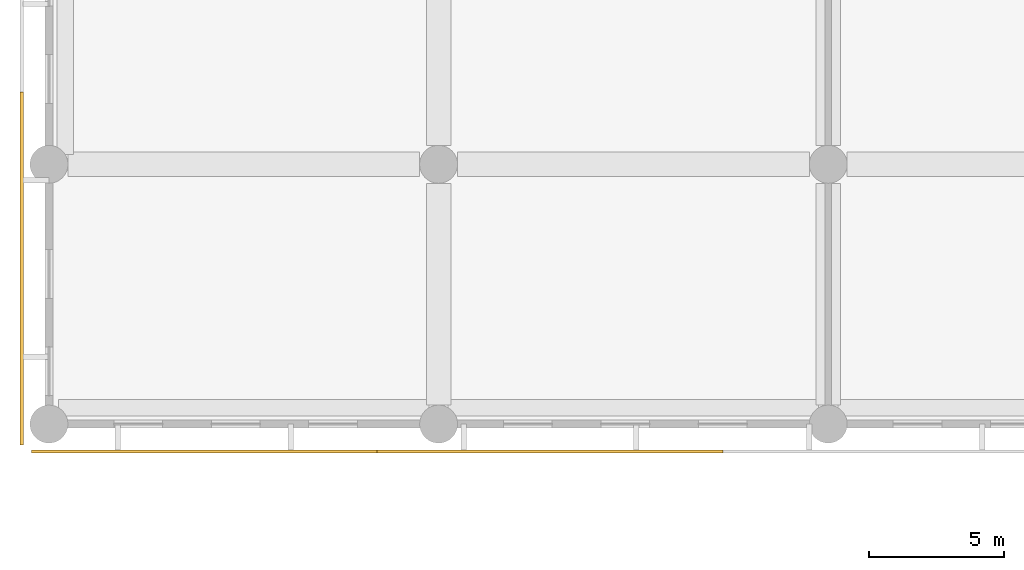
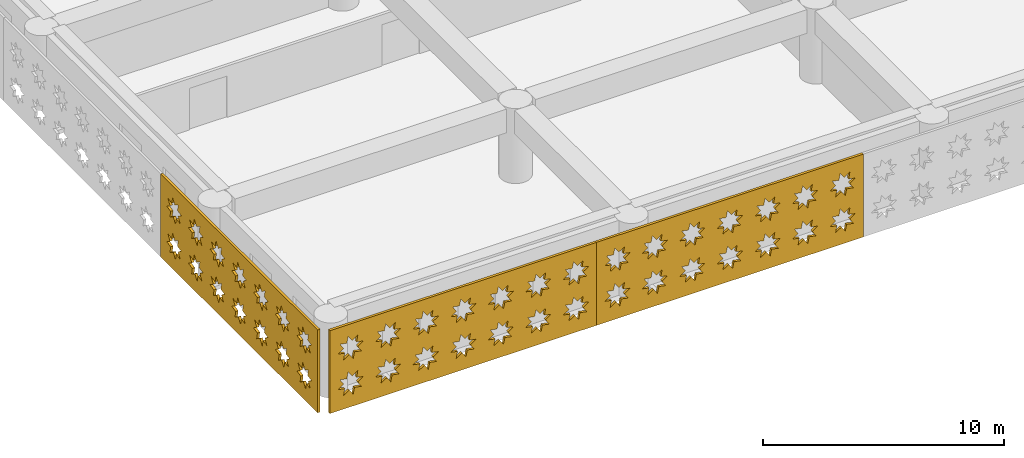
# One storey, part 11 of 23: 3 coverings.
"""IFC4 building model written with IfcOpenShell, lengths in metres."""

from ifc_helpers import new_model, si_unit, direction, frame, origin, place, context, subcontext, project, spatial, polyline, outline, extrude, material, layer, layer_set, type_object, element, save


model = new_model("IFC4")

# Units and contexts
model_context = context("Model", 3, precision=1e-05, world=origin(), true_north=direction((0.0, 1.0)))
body_context = subcontext(model_context, "Body", "Model", "MODEL_VIEW")
ifc_project = project(units=[si_unit("LENGTHUNIT", "METRE"), si_unit("AREAUNIT", "SQUARE_METRE"), si_unit("VOLUMEUNIT", "CUBIC_METRE"), si_unit("PLANEANGLEUNIT", "RADIAN"), si_unit("MASSUNIT", "GRAM", prefix="KILO")], contexts=[model_context])

# Site, building, storey
site_placement = place(None, origin())
site = spatial("IfcSite", under=ifc_project, at=site_placement, CompositionType="ELEMENT")
building_placement = place(site_placement, origin())
building = spatial("IfcBuilding", under=site, at=building_placement, Name="Saffron Iwan Residences", CompositionType="ELEMENT")
storey_placement = place(building_placement, frame((0.0, 0.0, 17.39990234375)))
storey = spatial("IfcBuildingStorey", under=building, at=storey_placement, Name="L03", CompositionType="ELEMENT", Elevation=17.39990234375)

# Coverings
ifc_material = material(Name="Terracotta screen, precast concrete C40/50", Category="masonry")
ifc_layer = layer(ifc_material, 0.1201171875)
ifc_layer_set = layer_set([ifc_layer], Name="Terracotta screen, precast concrete C40/50")
covering_type = type_object("IfcCoveringType", Name="PODIUM SCREEN GIRIH", PredefinedType="CLADDING", material=ifc_layer_set)
covering_1_placement = place(storey_placement, frame((-0.64990234375, 8.64990234375, -0.39990234375), z_axis=(0.0, -1.0, 0.0), x_axis=(1.0, 0.0, 0.0)))
element("IfcCovering", 1, at=covering_1_placement, inside=storey, type_object=covering_type, Name="SCREEN girih terracotta L03 F0.0", PredefinedType="CLADDING", context=body_context, shape_type="SweptSolid", body=[
    extrude(outline(polyline([(0.0, 0.0), (12.777587890625, 0.0), (12.777587890625, 4.199951171875), (0.0, 4.199951171875), (0.0, 0.0)]), holes=[polyline([(1.5966796875, 1.321044921875), (1.271484375, 1.388916015625), (1.333251953125, 1.715576171875), (1.05517578125, 1.533447265625), (0.867919921875, 1.80810546875), (0.7998046875, 1.482666015625), (0.47314453125, 1.54443359375), (0.6552734375, 1.266357421875), (0.380615234375, 1.0791015625), (0.7060546875, 1.010986328125), (0.644287109375, 0.6845703125), (0.92236328125, 0.866455078125), (1.109619140625, 0.591796875), (1.177490234375, 0.917236328125), (1.50439453125, 0.85546875), (1.322265625, 1.1337890625), (1.5966796875, 1.321044921875)]), polyline([(1.5966796875, 3.12109375), (1.271484375, 3.18896484375), (1.333251953125, 3.515380859375), (1.05517578125, 3.33349609375), (0.867919921875, 3.608154296875), (0.7998046875, 3.28271484375), (0.47314453125, 3.344482421875), (0.6552734375, 3.06640625), (0.380615234375, 2.87890625), (0.7060546875, 2.81103515625), (0.644287109375, 2.484619140625), (0.92236328125, 2.66650390625), (1.109619140625, 2.391845703125), (1.177490234375, 2.71728515625), (1.50439453125, 2.655517578125), (1.322265625, 2.93359375), (1.5966796875, 3.12109375)]), polyline([(3.396728515625, 1.321044921875), (3.0712890625, 1.388916015625), (3.13330078125, 1.715576171875), (2.85498046875, 1.533447265625), (2.667724609375, 1.80810546875), (2.599853515625, 1.482666015625), (2.273193359375, 1.54443359375), (2.455322265625, 1.266357421875), (2.1806640625, 1.0791015625), (2.506103515625, 1.010986328125), (2.4443359375, 0.6845703125), (2.722412109375, 0.866455078125), (2.90966796875, 0.591796875), (2.9775390625, 0.917236328125), (3.30419921875, 0.85546875), (3.122314453125, 1.1337890625), (3.396728515625, 1.321044921875)]), polyline([(3.396728515625, 3.12109375), (3.0712890625, 3.18896484375), (3.13330078125, 3.515380859375), (2.85498046875, 3.33349609375), (2.667724609375, 3.608154296875), (2.599853515625, 3.28271484375), (2.273193359375, 3.344482421875), (2.455322265625, 3.06640625), (2.1806640625, 2.87890625), (2.506103515625, 2.81103515625), (2.4443359375, 2.484619140625), (2.722412109375, 2.66650390625), (2.90966796875, 2.391845703125), (2.9775390625, 2.71728515625), (3.30419921875, 2.655517578125), (3.122314453125, 2.93359375), (3.396728515625, 3.12109375)]), polyline([(5.19677734375, 1.321044921875), (4.871337890625, 1.388916015625), (4.93310546875, 1.715576171875), (4.655029296875, 1.533447265625), (4.4677734375, 1.80810546875), (4.39990234375, 1.482666015625), (4.0732421875, 1.54443359375), (4.25537109375, 1.266357421875), (3.980712890625, 1.0791015625), (4.30615234375, 1.010986328125), (4.244384765625, 0.6845703125), (4.5224609375, 0.866455078125), (4.709716796875, 0.591796875), (4.777587890625, 0.917236328125), (5.104248046875, 0.85546875), (4.922119140625, 1.1337890625), (5.19677734375, 1.321044921875)]), polyline([(5.19677734375, 3.12109375), (4.871337890625, 3.18896484375), (4.93310546875, 3.515380859375), (4.655029296875, 3.33349609375), (4.4677734375, 3.608154296875), (4.39990234375, 3.28271484375), (4.0732421875, 3.344482421875), (4.25537109375, 3.06640625), (3.980712890625, 2.87890625), (4.30615234375, 2.81103515625), (4.244384765625, 2.484619140625), (4.5224609375, 2.66650390625), (4.709716796875, 2.391845703125), (4.777587890625, 2.71728515625), (5.104248046875, 2.655517578125), (4.922119140625, 2.93359375), (5.19677734375, 3.12109375)]), polyline([(6.996826171875, 1.321044921875), (6.67138671875, 1.388916015625), (6.733154296875, 1.715576171875), (6.455078125, 1.533447265625), (6.267822265625, 1.80810546875), (6.199951171875, 1.482666015625), (5.873291015625, 1.54443359375), (6.055419921875, 1.266357421875), (5.78076171875, 1.0791015625), (6.106201171875, 1.010986328125), (6.044189453125, 0.6845703125), (6.322509765625, 0.866455078125), (6.509765625, 0.591796875), (6.57763671875, 0.917236328125), (6.904296875, 0.85546875), (6.72216796875, 1.1337890625), (6.996826171875, 1.321044921875)]), polyline([(6.996826171875, 3.12109375), (6.67138671875, 3.18896484375), (6.733154296875, 3.515380859375), (6.455078125, 3.33349609375), (6.267822265625, 3.608154296875), (6.199951171875, 3.28271484375), (5.873291015625, 3.344482421875), (6.055419921875, 3.06640625), (5.78076171875, 2.87890625), (6.106201171875, 2.81103515625), (6.044189453125, 2.484619140625), (6.322509765625, 2.66650390625), (6.509765625, 2.391845703125), (6.57763671875, 2.71728515625), (6.904296875, 2.655517578125), (6.72216796875, 2.93359375), (6.996826171875, 3.12109375)]), polyline([(8.796875, 1.321044921875), (8.471435546875, 1.388916015625), (8.533203125, 1.715576171875), (8.255126953125, 1.533447265625), (8.06787109375, 1.80810546875), (8.0, 1.482666015625), (7.673095703125, 1.54443359375), (7.855224609375, 1.266357421875), (7.580810546875, 1.0791015625), (7.906005859375, 1.010986328125), (7.84423828125, 0.6845703125), (8.122314453125, 0.866455078125), (8.309814453125, 0.591796875), (8.377685546875, 0.917236328125), (8.704345703125, 0.85546875), (8.522216796875, 1.1337890625), (8.796875, 1.321044921875)]), polyline([(8.796875, 3.12109375), (8.471435546875, 3.18896484375), (8.533203125, 3.515380859375), (8.255126953125, 3.33349609375), (8.06787109375, 3.608154296875), (8.0, 3.28271484375), (7.673095703125, 3.344482421875), (7.855224609375, 3.06640625), (7.580810546875, 2.87890625), (7.906005859375, 2.81103515625), (7.84423828125, 2.484619140625), (8.122314453125, 2.66650390625), (8.309814453125, 2.391845703125), (8.377685546875, 2.71728515625), (8.704345703125, 2.655517578125), (8.522216796875, 2.93359375), (8.796875, 3.12109375)]), polyline([(10.5966796875, 1.321044921875), (10.271484375, 1.388916015625), (10.333251953125, 1.715576171875), (10.05517578125, 1.533447265625), (9.867919921875, 1.80810546875), (9.7998046875, 1.482666015625), (9.47314453125, 1.54443359375), (9.6552734375, 1.266357421875), (9.380615234375, 1.0791015625), (9.7060546875, 1.010986328125), (9.644287109375, 0.6845703125), (9.92236328125, 0.866455078125), (10.109619140625, 0.591796875), (10.177490234375, 0.917236328125), (10.50439453125, 0.85546875), (10.322265625, 1.1337890625), (10.5966796875, 1.321044921875)]), polyline([(10.5966796875, 3.12109375), (10.271484375, 3.18896484375), (10.333251953125, 3.515380859375), (10.05517578125, 3.33349609375), (9.867919921875, 3.608154296875), (9.7998046875, 3.28271484375), (9.47314453125, 3.344482421875), (9.6552734375, 3.06640625), (9.380615234375, 2.87890625), (9.7060546875, 2.81103515625), (9.644287109375, 2.484619140625), (9.92236328125, 2.66650390625), (10.109619140625, 2.391845703125), (10.177490234375, 2.71728515625), (10.50439453125, 2.655517578125), (10.322265625, 2.93359375), (10.5966796875, 3.12109375)]), polyline([(12.396728515625, 1.321044921875), (12.0712890625, 1.388916015625), (12.13330078125, 1.715576171875), (11.85498046875, 1.533447265625), (11.667724609375, 1.80810546875), (11.599853515625, 1.482666015625), (11.273193359375, 1.54443359375), (11.455322265625, 1.266357421875), (11.1806640625, 1.0791015625), (11.506103515625, 1.010986328125), (11.4443359375, 0.6845703125), (11.722412109375, 0.866455078125), (11.90966796875, 0.591796875), (11.9775390625, 0.917236328125), (12.30419921875, 0.85546875), (12.122314453125, 1.1337890625), (12.396728515625, 1.321044921875)]), polyline([(12.396728515625, 3.12109375), (12.0712890625, 3.18896484375), (12.13330078125, 3.515380859375), (11.85498046875, 3.33349609375), (11.667724609375, 3.608154296875), (11.599853515625, 3.28271484375), (11.273193359375, 3.344482421875), (11.455322265625, 3.06640625), (11.1806640625, 2.87890625), (11.506103515625, 2.81103515625), (11.4443359375, 2.484619140625), (11.722412109375, 2.66650390625), (11.90966796875, 2.391845703125), (11.9775390625, 2.71728515625), (12.30419921875, 2.655517578125), (12.122314453125, 2.93359375), (12.396728515625, 3.12109375)])]), origin(), (0.0, 0.0, 1.0), 0.119873046875),
])
covering_2_placement = place(storey_placement, frame((12.12744140625, 8.64990234375, -0.39990234375), z_axis=(0.0, -1.0, 0.0), x_axis=(1.0, 0.0, 0.0)))
element("IfcCovering", 2, at=covering_2_placement, inside=storey, type_object=covering_type, Name="SCREEN girih terracotta L03 F0.1", PredefinedType="CLADDING", context=body_context, shape_type="SweptSolid", body=[
    extrude(outline(polyline([(0.0, 0.0), (12.777587890625, 0.0), (12.777587890625, 4.199951171875), (0.0, 4.199951171875), (0.0, 0.0)]), holes=[polyline([(1.5966796875, 1.321044921875), (1.271484375, 1.388916015625), (1.333251953125, 1.715576171875), (1.05517578125, 1.533447265625), (0.867919921875, 1.80810546875), (0.7998046875, 1.482666015625), (0.47314453125, 1.54443359375), (0.6552734375, 1.266357421875), (0.380615234375, 1.0791015625), (0.7060546875, 1.010986328125), (0.644287109375, 0.6845703125), (0.92236328125, 0.866455078125), (1.109619140625, 0.591796875), (1.177490234375, 0.917236328125), (1.50439453125, 0.85546875), (1.322265625, 1.1337890625), (1.5966796875, 1.321044921875)]), polyline([(1.5966796875, 3.12109375), (1.271484375, 3.18896484375), (1.333251953125, 3.515380859375), (1.05517578125, 3.33349609375), (0.867919921875, 3.608154296875), (0.7998046875, 3.28271484375), (0.47314453125, 3.344482421875), (0.6552734375, 3.06640625), (0.380615234375, 2.87890625), (0.7060546875, 2.81103515625), (0.644287109375, 2.484619140625), (0.92236328125, 2.66650390625), (1.109619140625, 2.391845703125), (1.177490234375, 2.71728515625), (1.50439453125, 2.655517578125), (1.322265625, 2.93359375), (1.5966796875, 3.12109375)]), polyline([(3.396728515625, 1.321044921875), (3.0712890625, 1.388916015625), (3.13330078125, 1.715576171875), (2.85498046875, 1.533447265625), (2.667724609375, 1.80810546875), (2.599853515625, 1.482666015625), (2.273193359375, 1.54443359375), (2.455322265625, 1.266357421875), (2.1806640625, 1.0791015625), (2.506103515625, 1.010986328125), (2.4443359375, 0.6845703125), (2.722412109375, 0.866455078125), (2.90966796875, 0.591796875), (2.9775390625, 0.917236328125), (3.30419921875, 0.85546875), (3.122314453125, 1.1337890625), (3.396728515625, 1.321044921875)]), polyline([(3.396728515625, 3.12109375), (3.0712890625, 3.18896484375), (3.13330078125, 3.515380859375), (2.85498046875, 3.33349609375), (2.667724609375, 3.608154296875), (2.599853515625, 3.28271484375), (2.273193359375, 3.344482421875), (2.455322265625, 3.06640625), (2.1806640625, 2.87890625), (2.506103515625, 2.81103515625), (2.4443359375, 2.484619140625), (2.722412109375, 2.66650390625), (2.90966796875, 2.391845703125), (2.9775390625, 2.71728515625), (3.30419921875, 2.655517578125), (3.122314453125, 2.93359375), (3.396728515625, 3.12109375)]), polyline([(5.19677734375, 1.321044921875), (4.871337890625, 1.388916015625), (4.93310546875, 1.715576171875), (4.655029296875, 1.533447265625), (4.4677734375, 1.80810546875), (4.39990234375, 1.482666015625), (4.0732421875, 1.54443359375), (4.25537109375, 1.266357421875), (3.980712890625, 1.0791015625), (4.30615234375, 1.010986328125), (4.244384765625, 0.6845703125), (4.5224609375, 0.866455078125), (4.709716796875, 0.591796875), (4.777587890625, 0.917236328125), (5.104248046875, 0.85546875), (4.922119140625, 1.1337890625), (5.19677734375, 1.321044921875)]), polyline([(5.19677734375, 3.12109375), (4.871337890625, 3.18896484375), (4.93310546875, 3.515380859375), (4.655029296875, 3.33349609375), (4.4677734375, 3.608154296875), (4.39990234375, 3.28271484375), (4.0732421875, 3.344482421875), (4.25537109375, 3.06640625), (3.980712890625, 2.87890625), (4.30615234375, 2.81103515625), (4.244384765625, 2.484619140625), (4.5224609375, 2.66650390625), (4.709716796875, 2.391845703125), (4.777587890625, 2.71728515625), (5.104248046875, 2.655517578125), (4.922119140625, 2.93359375), (5.19677734375, 3.12109375)]), polyline([(6.996826171875, 1.321044921875), (6.67138671875, 1.388916015625), (6.733154296875, 1.715576171875), (6.455078125, 1.533447265625), (6.267822265625, 1.80810546875), (6.199951171875, 1.482666015625), (5.873291015625, 1.54443359375), (6.055419921875, 1.266357421875), (5.78076171875, 1.0791015625), (6.106201171875, 1.010986328125), (6.044189453125, 0.6845703125), (6.322509765625, 0.866455078125), (6.509765625, 0.591796875), (6.57763671875, 0.917236328125), (6.904296875, 0.85546875), (6.72216796875, 1.1337890625), (6.996826171875, 1.321044921875)]), polyline([(6.996826171875, 3.12109375), (6.67138671875, 3.18896484375), (6.733154296875, 3.515380859375), (6.455078125, 3.33349609375), (6.267822265625, 3.608154296875), (6.199951171875, 3.28271484375), (5.873291015625, 3.344482421875), (6.055419921875, 3.06640625), (5.78076171875, 2.87890625), (6.106201171875, 2.81103515625), (6.044189453125, 2.484619140625), (6.322509765625, 2.66650390625), (6.509765625, 2.391845703125), (6.57763671875, 2.71728515625), (6.904296875, 2.655517578125), (6.72216796875, 2.93359375), (6.996826171875, 3.12109375)]), polyline([(8.796875, 1.321044921875), (8.471435546875, 1.388916015625), (8.533203125, 1.715576171875), (8.255126953125, 1.533447265625), (8.06787109375, 1.80810546875), (8.0, 1.482666015625), (7.673095703125, 1.54443359375), (7.855224609375, 1.266357421875), (7.580810546875, 1.0791015625), (7.906005859375, 1.010986328125), (7.84423828125, 0.6845703125), (8.122314453125, 0.866455078125), (8.309814453125, 0.591796875), (8.377685546875, 0.917236328125), (8.704345703125, 0.85546875), (8.522216796875, 1.1337890625), (8.796875, 1.321044921875)]), polyline([(8.796875, 3.12109375), (8.471435546875, 3.18896484375), (8.533203125, 3.515380859375), (8.255126953125, 3.33349609375), (8.06787109375, 3.608154296875), (8.0, 3.28271484375), (7.673095703125, 3.344482421875), (7.855224609375, 3.06640625), (7.580810546875, 2.87890625), (7.906005859375, 2.81103515625), (7.84423828125, 2.484619140625), (8.122314453125, 2.66650390625), (8.309814453125, 2.391845703125), (8.377685546875, 2.71728515625), (8.704345703125, 2.655517578125), (8.522216796875, 2.93359375), (8.796875, 3.12109375)]), polyline([(10.5966796875, 1.321044921875), (10.271484375, 1.388916015625), (10.333251953125, 1.715576171875), (10.05517578125, 1.533447265625), (9.867919921875, 1.80810546875), (9.7998046875, 1.482666015625), (9.47314453125, 1.54443359375), (9.6552734375, 1.266357421875), (9.380615234375, 1.0791015625), (9.7060546875, 1.010986328125), (9.644287109375, 0.6845703125), (9.92236328125, 0.866455078125), (10.109619140625, 0.591796875), (10.177490234375, 0.917236328125), (10.50439453125, 0.85546875), (10.322265625, 1.1337890625), (10.5966796875, 1.321044921875)]), polyline([(10.5966796875, 3.12109375), (10.271484375, 3.18896484375), (10.333251953125, 3.515380859375), (10.05517578125, 3.33349609375), (9.867919921875, 3.608154296875), (9.7998046875, 3.28271484375), (9.47314453125, 3.344482421875), (9.6552734375, 3.06640625), (9.380615234375, 2.87890625), (9.7060546875, 2.81103515625), (9.644287109375, 2.484619140625), (9.92236328125, 2.66650390625), (10.109619140625, 2.391845703125), (10.177490234375, 2.71728515625), (10.50439453125, 2.655517578125), (10.322265625, 2.93359375), (10.5966796875, 3.12109375)]), polyline([(12.396728515625, 1.321044921875), (12.0712890625, 1.388916015625), (12.13330078125, 1.715576171875), (11.85498046875, 1.533447265625), (11.667724609375, 1.80810546875), (11.599853515625, 1.482666015625), (11.273193359375, 1.54443359375), (11.455322265625, 1.266357421875), (11.1806640625, 1.0791015625), (11.506103515625, 1.010986328125), (11.4443359375, 0.6845703125), (11.722412109375, 0.866455078125), (11.90966796875, 0.591796875), (11.9775390625, 0.917236328125), (12.30419921875, 0.85546875), (12.122314453125, 1.1337890625), (12.396728515625, 1.321044921875)]), polyline([(12.396728515625, 3.12109375), (12.0712890625, 3.18896484375), (12.13330078125, 3.515380859375), (11.85498046875, 3.33349609375), (11.667724609375, 3.608154296875), (11.599853515625, 3.28271484375), (11.273193359375, 3.344482421875), (11.455322265625, 3.06640625), (11.1806640625, 2.87890625), (11.506103515625, 2.81103515625), (11.4443359375, 2.484619140625), (11.722412109375, 2.66650390625), (11.90966796875, 2.391845703125), (11.9775390625, 2.71728515625), (12.30419921875, 2.655517578125), (12.122314453125, 2.93359375), (12.396728515625, 3.12109375)])]), origin(), (0.0, 0.0, 1.0), 0.119873046875),
])
covering_3_placement = place(storey_placement, frame((-0.949951171875, 21.86669921875, -0.39990234375), z_axis=(-1.0, 0.0, 0.0), x_axis=(0.0, -1.0, 0.0)))
element("IfcCovering", 3, at=covering_3_placement, inside=storey, type_object=covering_type, Name="SCREEN girih terracotta L03 F3.5", PredefinedType="CLADDING", context=body_context, shape_type="SweptSolid", body=[
    extrude(outline(polyline([(0.0, 0.0), (13.03662109375, 0.0), (13.03662109375, 4.199951171875), (0.0, 4.199951171875), (0.0, 0.0)]), holes=[polyline([(1.726318359375, 1.321044921875), (1.40087890625, 1.388916015625), (1.462890625, 1.715576171875), (1.184814453125, 1.533447265625), (0.997314453125, 1.80810546875), (0.929443359375, 1.482666015625), (0.602783203125, 1.54443359375), (0.784912109375, 1.266357421875), (0.51025390625, 1.0791015625), (0.835693359375, 1.010986328125), (0.77392578125, 0.6845703125), (1.052001953125, 0.866455078125), (1.2392578125, 0.591796875), (1.30712890625, 0.917236328125), (1.6337890625, 0.85546875), (1.451904296875, 1.1337890625), (1.726318359375, 1.321044921875)]), polyline([(1.726318359375, 3.12109375), (1.40087890625, 3.18896484375), (1.462890625, 3.515380859375), (1.184814453125, 3.33349609375), (0.997314453125, 3.608154296875), (0.929443359375, 3.28271484375), (0.602783203125, 3.344482421875), (0.784912109375, 3.06640625), (0.51025390625, 2.87890625), (0.835693359375, 2.81103515625), (0.77392578125, 2.484619140625), (1.052001953125, 2.66650390625), (1.2392578125, 2.391845703125), (1.30712890625, 2.71728515625), (1.6337890625, 2.655517578125), (1.451904296875, 2.93359375), (1.726318359375, 3.12109375)]), polyline([(3.5263671875, 1.321044921875), (3.200927734375, 1.388916015625), (3.2626953125, 1.715576171875), (2.984619140625, 1.533447265625), (2.79736328125, 1.80810546875), (2.7294921875, 1.482666015625), (2.40283203125, 1.54443359375), (2.5849609375, 1.266357421875), (2.310302734375, 1.0791015625), (2.635498046875, 1.010986328125), (2.573974609375, 0.6845703125), (2.85205078125, 0.866455078125), (3.039306640625, 0.591796875), (3.107177734375, 0.917236328125), (3.433837890625, 0.85546875), (3.251708984375, 1.1337890625), (3.5263671875, 1.321044921875)]), polyline([(3.5263671875, 3.12109375), (3.200927734375, 3.18896484375), (3.2626953125, 3.515380859375), (2.984619140625, 3.33349609375), (2.79736328125, 3.608154296875), (2.7294921875, 3.28271484375), (2.40283203125, 3.344482421875), (2.5849609375, 3.06640625), (2.310302734375, 2.87890625), (2.635498046875, 2.81103515625), (2.573974609375, 2.484619140625), (2.85205078125, 2.66650390625), (3.039306640625, 2.391845703125), (3.107177734375, 2.71728515625), (3.433837890625, 2.655517578125), (3.251708984375, 2.93359375), (3.5263671875, 3.12109375)]), polyline([(5.326416015625, 1.321044921875), (5.0009765625, 1.388916015625), (5.062744140625, 1.715576171875), (4.78466796875, 1.533447265625), (4.597412109375, 1.80810546875), (4.529296875, 1.482666015625), (4.202880859375, 1.54443359375), (4.385009765625, 1.266357421875), (4.110107421875, 1.0791015625), (4.435546875, 1.010986328125), (4.373779296875, 0.6845703125), (4.652099609375, 0.866455078125), (4.83935546875, 0.591796875), (4.9072265625, 0.917236328125), (5.23388671875, 0.85546875), (5.0517578125, 1.1337890625), (5.326416015625, 1.321044921875)]), polyline([(5.326416015625, 3.12109375), (5.0009765625, 3.18896484375), (5.062744140625, 3.515380859375), (4.78466796875, 3.33349609375), (4.597412109375, 3.608154296875), (4.529296875, 3.28271484375), (4.202880859375, 3.344482421875), (4.385009765625, 3.06640625), (4.110107421875, 2.87890625), (4.435546875, 2.81103515625), (4.373779296875, 2.484619140625), (4.652099609375, 2.66650390625), (4.83935546875, 2.391845703125), (4.9072265625, 2.71728515625), (5.23388671875, 2.655517578125), (5.0517578125, 2.93359375), (5.326416015625, 3.12109375)]), polyline([(7.12646484375, 1.321044921875), (6.801025390625, 1.388916015625), (6.86279296875, 1.715576171875), (6.584716796875, 1.533447265625), (6.3974609375, 1.80810546875), (6.329345703125, 1.482666015625), (6.002685546875, 1.54443359375), (6.184814453125, 1.266357421875), (5.91015625, 1.0791015625), (6.235595703125, 1.010986328125), (6.173828125, 0.6845703125), (6.451904296875, 0.866455078125), (6.639404296875, 0.591796875), (6.707275390625, 0.917236328125), (7.03369140625, 0.85546875), (6.851806640625, 1.1337890625), (7.12646484375, 1.321044921875)]), polyline([(7.12646484375, 3.12109375), (6.801025390625, 3.18896484375), (6.86279296875, 3.515380859375), (6.584716796875, 3.33349609375), (6.3974609375, 3.608154296875), (6.329345703125, 3.28271484375), (6.002685546875, 3.344482421875), (6.184814453125, 3.06640625), (5.91015625, 2.87890625), (6.235595703125, 2.81103515625), (6.173828125, 2.484619140625), (6.451904296875, 2.66650390625), (6.639404296875, 2.391845703125), (6.707275390625, 2.71728515625), (7.03369140625, 2.655517578125), (6.851806640625, 2.93359375), (7.12646484375, 3.12109375)]), polyline([(8.926513671875, 1.321044921875), (8.60107421875, 1.388916015625), (8.662841796875, 1.715576171875), (8.384765625, 1.533447265625), (8.197509765625, 1.80810546875), (8.12939453125, 1.482666015625), (7.802734375, 1.54443359375), (7.98486328125, 1.266357421875), (7.710205078125, 1.0791015625), (8.03564453125, 1.010986328125), (7.973876953125, 0.6845703125), (8.251953125, 0.866455078125), (8.439208984375, 0.591796875), (8.507080078125, 0.917236328125), (8.833740234375, 0.85546875), (8.65185546875, 1.1337890625), (8.926513671875, 1.321044921875)]), polyline([(8.926513671875, 3.12109375), (8.60107421875, 3.18896484375), (8.662841796875, 3.515380859375), (8.384765625, 3.33349609375), (8.197509765625, 3.608154296875), (8.12939453125, 3.28271484375), (7.802734375, 3.344482421875), (7.98486328125, 3.06640625), (7.710205078125, 2.87890625), (8.03564453125, 2.81103515625), (7.973876953125, 2.484619140625), (8.251953125, 2.66650390625), (8.439208984375, 2.391845703125), (8.507080078125, 2.71728515625), (8.833740234375, 2.655517578125), (8.65185546875, 2.93359375), (8.926513671875, 3.12109375)]), polyline([(10.726318359375, 1.321044921875), (10.40087890625, 1.388916015625), (10.462890625, 1.715576171875), (10.184814453125, 1.533447265625), (9.997314453125, 1.80810546875), (9.929443359375, 1.482666015625), (9.602783203125, 1.54443359375), (9.784912109375, 1.266357421875), (9.51025390625, 1.0791015625), (9.835693359375, 1.010986328125), (9.77392578125, 0.6845703125), (10.052001953125, 0.866455078125), (10.2392578125, 0.591796875), (10.30712890625, 0.917236328125), (10.6337890625, 0.85546875), (10.451904296875, 1.1337890625), (10.726318359375, 1.321044921875)]), polyline([(10.726318359375, 3.12109375), (10.40087890625, 3.18896484375), (10.462890625, 3.515380859375), (10.184814453125, 3.33349609375), (9.997314453125, 3.608154296875), (9.929443359375, 3.28271484375), (9.602783203125, 3.344482421875), (9.784912109375, 3.06640625), (9.51025390625, 2.87890625), (9.835693359375, 2.81103515625), (9.77392578125, 2.484619140625), (10.052001953125, 2.66650390625), (10.2392578125, 2.391845703125), (10.30712890625, 2.71728515625), (10.6337890625, 2.655517578125), (10.451904296875, 2.93359375), (10.726318359375, 3.12109375)]), polyline([(12.5263671875, 1.321044921875), (12.200927734375, 1.388916015625), (12.2626953125, 1.715576171875), (11.984619140625, 1.533447265625), (11.79736328125, 1.80810546875), (11.7294921875, 1.482666015625), (11.40283203125, 1.54443359375), (11.5849609375, 1.266357421875), (11.310302734375, 1.0791015625), (11.635498046875, 1.010986328125), (11.573974609375, 0.6845703125), (11.85205078125, 0.866455078125), (12.039306640625, 0.591796875), (12.107177734375, 0.917236328125), (12.433837890625, 0.85546875), (12.251708984375, 1.1337890625), (12.5263671875, 1.321044921875)]), polyline([(12.5263671875, 3.12109375), (12.200927734375, 3.18896484375), (12.2626953125, 3.515380859375), (11.984619140625, 3.33349609375), (11.79736328125, 3.608154296875), (11.7294921875, 3.28271484375), (11.40283203125, 3.344482421875), (11.5849609375, 3.06640625), (11.310302734375, 2.87890625), (11.635498046875, 2.81103515625), (11.573974609375, 2.484619140625), (11.85205078125, 2.66650390625), (12.039306640625, 2.391845703125), (12.107177734375, 2.71728515625), (12.433837890625, 2.655517578125), (12.251708984375, 2.93359375), (12.5263671875, 3.12109375)])]), origin(), (0.0, 0.0, 1.0), 0.1201171875),
])

save(model, "model.ifc")
